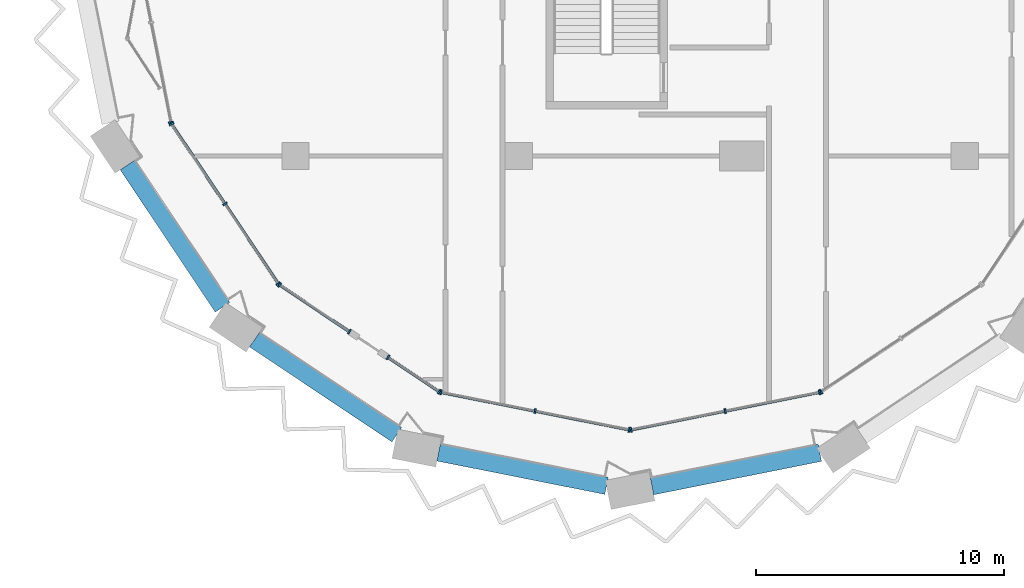
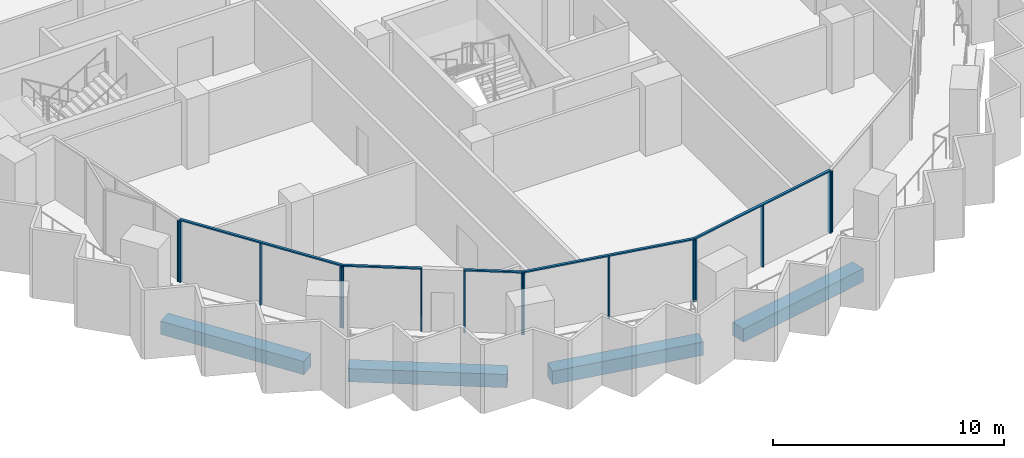
# One storey, part 2 of 19: 20 members, 4 beams, 7 elements without a shape of their own.
"""IFC4 building model written with IfcOpenShell, lengths in metres."""

from ifc_helpers import new_model, si_unit, direction, frame, origin, origin_2d, place, context, subcontext, project, spatial, rectangle, extrude, material, material_profile, profile_set, type_object, element, aggregate, save


model = new_model("IFC4")

# Units and contexts
model_context = context("Model", 3, precision=1e-05, world=origin(), true_north=direction((0.0, 1.0)))
body_context = subcontext(model_context, "Body", "Model", "MODEL_VIEW")
ifc_project = project(units=[si_unit("LENGTHUNIT", "METRE"), si_unit("AREAUNIT", "SQUARE_METRE"), si_unit("VOLUMEUNIT", "CUBIC_METRE"), si_unit("PLANEANGLEUNIT", "RADIAN"), si_unit("MASSUNIT", "GRAM", prefix="KILO")], contexts=[model_context])

# Site, building, storey
site_placement = place(None, origin())
site = spatial("IfcSite", under=ifc_project, at=site_placement, CompositionType="ELEMENT")
building_placement = place(site_placement, origin())
building = spatial("IfcBuilding", under=site, at=building_placement, Name="Hunhe Ridgeline Campus", CompositionType="ELEMENT")
storey_placement = place(building_placement, frame((0.0, 0.0, 216.10009765625)))
storey = spatial("IfcBuildingStorey", under=building, at=storey_placement, Name="L55", CompositionType="ELEMENT", Elevation=216.10009765625)

# Curtain wall, member
ifc_material_1 = material(Name="Aluminium 6063", Category="aluminium")
curtain_wall_type = type_object("IfcCurtainWallType", Name="Curtain wall CW-5", PredefinedType="NOTDEFINED", material=ifc_material_1)
curtain_wall_1_placement = place(storey_placement, origin())
curtain_wall_1 = element("IfcCurtainWall", 1, at=curtain_wall_1_placement, inside=storey, type_object=curtain_wall_type, Name="Curtain wall 01", PredefinedType="NOTDEFINED")
ifc_material_profile_1 = material_profile(ifc_material_1, rectangle(XDim=0.199951171875, YDim=0.070068359375, at=origin_2d()))
ifc_profile_set_1 = profile_set([ifc_material_profile_1], Name="Aluminium 6063")
member_type_1 = type_object("IfcMemberType", Name="CW-5 aluminium mullion", PredefinedType="MULLION", material=ifc_profile_set_1)
member_1_placement = place(storey_placement, frame((3.967529296875, 28.36083984375, 0.0), z_axis=(0.0, 0.0, 1.0), x_axis=(0.980784280831, 0.195095347137, 0.0)))
member_1 = element("IfcMember", 2, at=member_1_placement, type_object=member_type_1, Name="CW-5 mullion 3", PredefinedType="MULLION", context=body_context, shape_type="SweptSolid", body=[
    extrude(rectangle(XDim=0.199951171875, YDim=0.070068359375, at=origin_2d()), origin(), (0.0, 0.0, 1.0), 3.22998046875),
])
aggregate(curtain_wall_1, [member_1])

# Curtain wall, members
curtain_wall_2_placement = place(storey_placement, origin())
curtain_wall_2 = element("IfcCurtainWall", 3, at=curtain_wall_2_placement, inside=storey, type_object=curtain_wall_type, Name="Curtain wall 02", PredefinedType="NOTDEFINED")
member_2_placement = place(storey_placement, frame((3.993896484375, 28.29736328125, 0.0), z_axis=(0.0, 0.0, 1.0), x_axis=(0.831469584522, 0.555570274596, 0.0)))
member_2 = element("IfcMember", 4, at=member_2_placement, type_object=member_type_1, Name="CW-5 mullion 1", PredefinedType="MULLION", context=body_context, shape_type="SweptSolid", body=[
    extrude(rectangle(XDim=0.199951171875, YDim=0.070068359375, at=origin_2d()), origin(), (0.0, 0.0, 1.0), 3.22998046875),
])
member_3_placement = place(storey_placement, frame((6.147705078125, 25.07373046875, 0.0), z_axis=(0.0, 0.0, 1.0), x_axis=(0.831469584522, 0.555570274596, 0.0)))
member_3 = element("IfcMember", 5, at=member_3_placement, type_object=member_type_1, Name="CW-5 mullion 2", PredefinedType="MULLION", context=body_context, shape_type="SweptSolid", body=[
    extrude(rectangle(XDim=0.199951171875, YDim=0.070068359375, at=origin_2d()), origin(), (0.0, 0.0, 1.0), 3.22998046875),
])
member_4_placement = place(storey_placement, frame((8.3017578125, 21.850341796875, 0.0), z_axis=(0.0, 0.0, 1.0), x_axis=(0.831469584522, 0.555570274596, 0.0)))
member_4 = element("IfcMember", 6, at=member_4_placement, type_object=member_type_1, Name="CW-5 mullion 3", PredefinedType="MULLION", context=body_context, shape_type="SweptSolid", body=[
    extrude(rectangle(XDim=0.199951171875, YDim=0.070068359375, at=origin_2d()), origin(), (0.0, 0.0, 1.0), 3.22998046875),
])

curtain_wall_3_placement = place(storey_placement, origin())
curtain_wall_3 = element("IfcCurtainWall", 7, at=curtain_wall_3_placement, inside=storey, type_object=curtain_wall_type, Name="Curtain wall 03", PredefinedType="NOTDEFINED")
member_5_placement = place(storey_placement, frame((8.350341796875, 21.8017578125, 0.0), z_axis=(0.0, 0.0, 1.0), x_axis=(0.555570257501, 0.831469595944, 0.0)))
member_5 = element("IfcMember", 8, at=member_5_placement, type_object=member_type_1, Name="CW-5 mullion 1", PredefinedType="MULLION", context=body_context, shape_type="SweptSolid", body=[
    extrude(rectangle(XDim=0.199951171875, YDim=0.070068359375, at=origin_2d()), origin(), (0.0, 0.0, 1.0), 3.22998046875),
])
member_6_placement = place(storey_placement, frame((11.17041015625, 19.917236328125, 0.0), z_axis=(0.0, 0.0, 1.0), x_axis=(0.555570257501, 0.831469595944, 0.0)))
member_6 = element("IfcMember", 9, at=member_6_placement, type_object=member_type_1, Name="CW-5 mullion 2", PredefinedType="MULLION", context=body_context, shape_type="SweptSolid", body=[
    extrude(rectangle(XDim=0.199951171875, YDim=0.070068359375, at=origin_2d()), origin(), (0.0, 0.0, 1.0), 3.22998046875),
])

curtain_wall_4_placement = place(storey_placement, origin())
curtain_wall_4 = element("IfcCurtainWall", 10, at=curtain_wall_4_placement, inside=storey, type_object=curtain_wall_type, Name="Curtain wall 04", PredefinedType="NOTDEFINED")
member_7_placement = place(storey_placement, frame((12.725341796875, 18.87841796875, 0.0), z_axis=(0.0, 0.0, 1.0), x_axis=(0.555570385598, 0.831469510353, 0.0)))
member_7 = element("IfcMember", 11, at=member_7_placement, type_object=member_type_1, Name="CW-5 mullion 1", PredefinedType="MULLION", context=body_context, shape_type="SweptSolid", body=[
    extrude(rectangle(XDim=0.199951171875, YDim=0.070068359375, at=origin_2d()), origin(), (0.0, 0.0, 1.0), 3.22998046875),
])
member_8_placement = place(storey_placement, frame((14.79736328125, 17.493896484375, 0.0), z_axis=(0.0, 0.0, 1.0), x_axis=(0.555570385598, 0.831469510353, 0.0)))
member_8 = element("IfcMember", 12, at=member_8_placement, type_object=member_type_1, Name="CW-5 mullion 2", PredefinedType="MULLION", context=body_context, shape_type="SweptSolid", body=[
    extrude(rectangle(XDim=0.199951171875, YDim=0.070068359375, at=origin_2d()), origin(), (0.0, 0.0, 1.0), 3.22998046875),
])

curtain_wall_5_placement = place(storey_placement, origin())
curtain_wall_5 = element("IfcCurtainWall", 13, at=curtain_wall_5_placement, inside=storey, type_object=curtain_wall_type, Name="Curtain wall 05", PredefinedType="NOTDEFINED")
member_9_placement = place(storey_placement, frame((14.86083984375, 17.467529296875, 0.0), z_axis=(0.0, 0.0, 1.0), x_axis=(0.195090347539, 0.980785275326, 0.0)))
member_9 = element("IfcMember", 14, at=member_9_placement, type_object=member_type_1, Name="CW-5 mullion 1", PredefinedType="MULLION", context=body_context, shape_type="SweptSolid", body=[
    extrude(rectangle(XDim=0.199951171875, YDim=0.070068359375, at=origin_2d()), origin(), (0.0, 0.0, 1.0), 3.22998046875),
])
member_10_placement = place(storey_placement, frame((18.663330078125, 16.711181640625, 0.0), z_axis=(0.0, 0.0, 1.0), x_axis=(0.195090347539, 0.980785275326, 0.0)))
member_10 = element("IfcMember", 15, at=member_10_placement, type_object=member_type_1, Name="CW-5 mullion 2", PredefinedType="MULLION", context=body_context, shape_type="SweptSolid", body=[
    extrude(rectangle(XDim=0.199951171875, YDim=0.070068359375, at=origin_2d()), origin(), (0.0, 0.0, 1.0), 3.22998046875),
])
member_11_placement = place(storey_placement, frame((22.465576171875, 15.954833984375, 0.0), z_axis=(0.0, 0.0, 1.0), x_axis=(0.195090347539, 0.980785275326, 0.0)))
member_11 = element("IfcMember", 16, at=member_11_placement, type_object=member_type_1, Name="CW-5 mullion 3", PredefinedType="MULLION", context=body_context, shape_type="SweptSolid", body=[
    extrude(rectangle(XDim=0.199951171875, YDim=0.070068359375, at=origin_2d()), origin(), (0.0, 0.0, 1.0), 3.22998046875),
])

curtain_wall_6_placement = place(storey_placement, origin())
curtain_wall_6 = element("IfcCurtainWall", 17, at=curtain_wall_6_placement, inside=storey, type_object=curtain_wall_type, Name="Curtain wall 06", PredefinedType="NOTDEFINED")
member_12_placement = place(storey_placement, frame((22.534423828125, 15.954833984375, 0.0), z_axis=(0.0, 0.0, 1.0), x_axis=(-0.195090347539, 0.980785275326, 0.0)))
member_12 = element("IfcMember", 18, at=member_12_placement, type_object=member_type_1, Name="CW-5 mullion 1", PredefinedType="MULLION", context=body_context, shape_type="SweptSolid", body=[
    extrude(rectangle(XDim=0.199951171875, YDim=0.070068359375, at=origin_2d()), origin(), (0.0, 0.0, 1.0), 3.22998046875),
])
member_13_placement = place(storey_placement, frame((26.336669921875, 16.711181640625, 0.0), z_axis=(0.0, 0.0, 1.0), x_axis=(-0.195090347539, 0.980785275326, 0.0)))
member_13 = element("IfcMember", 19, at=member_13_placement, type_object=member_type_1, Name="CW-5 mullion 2", PredefinedType="MULLION", context=body_context, shape_type="SweptSolid", body=[
    extrude(rectangle(XDim=0.199951171875, YDim=0.070068359375, at=origin_2d()), origin(), (0.0, 0.0, 1.0), 3.22998046875),
])
member_14_placement = place(storey_placement, frame((30.13916015625, 17.467529296875, 0.0), z_axis=(0.0, 0.0, 1.0), x_axis=(-0.195090347539, 0.980785275326, 0.0)))
member_14 = element("IfcMember", 20, at=member_14_placement, type_object=member_type_1, Name="CW-5 mullion 3", PredefinedType="MULLION", context=body_context, shape_type="SweptSolid", body=[
    extrude(rectangle(XDim=0.199951171875, YDim=0.070068359375, at=origin_2d()), origin(), (0.0, 0.0, 1.0), 3.22998046875),
])

# Curtain wall, member
curtain_wall_7_placement = place(storey_placement, origin())
curtain_wall_7 = element("IfcCurtainWall", 21, at=curtain_wall_7_placement, inside=storey, type_object=curtain_wall_type, Name="Curtain wall 07", PredefinedType="NOTDEFINED")
member_15_placement = place(storey_placement, frame((30.20263671875, 17.493896484375, 0.0), z_axis=(0.0, 0.0, 1.0), x_axis=(-0.555570274596, 0.831469584522, 0.0)))
member_15 = element("IfcMember", 22, at=member_15_placement, type_object=member_type_1, Name="CW-5 mullion 1", PredefinedType="MULLION", context=body_context, shape_type="SweptSolid", body=[
    extrude(rectangle(XDim=0.199951171875, YDim=0.070068359375, at=origin_2d()), origin(), (0.0, 0.0, 1.0), 3.22998046875),
])
aggregate(curtain_wall_7, [member_15])

# Member
ifc_material_profile_2 = material_profile(ifc_material_1, rectangle(XDim=0.1201171875, YDim=0.070068359375, at=origin_2d()))
ifc_profile_set_2 = profile_set([ifc_material_profile_2], Name="Aluminium 6063")
member_type_2 = type_object("IfcMemberType", Name="CW-5 aluminium transom", PredefinedType="USERDEFINED", material=ifc_profile_set_2)
member_16_placement = place(storey_placement, frame((3.974365234375, 28.326416015625, 3.264892578125), z_axis=(0.5555640203, -0.831473763475, 0.0), x_axis=(0.831473763475, 0.5555640203, 0.0)))
member_16 = element("IfcMember", 23, at=member_16_placement, type_object=member_type_2, Name="CW-5 transom 1", ObjectType="TRANSOM", PredefinedType="USERDEFINED", context=body_context, shape_type="SweptSolid", body=[
    extrude(rectangle(XDim=0.1201171875, YDim=0.070068359375, at=origin_2d()), origin(), (0.0, 0.0, 1.0), 7.823974609375),
])

aggregate(curtain_wall_2, [member_16, member_2, member_3, member_4])

member_17_placement = place(storey_placement, frame((8.321044921875, 21.821044921875, 3.264892578125), z_axis=(0.831485714606, -0.555546133463, 0.0), x_axis=(0.555546133463, 0.831485714606, 0.0)))
member_17 = element("IfcMember", 24, at=member_17_placement, type_object=member_type_2, Name="CW-5 transom 1", ObjectType="TRANSOM", PredefinedType="USERDEFINED", context=body_context, shape_type="SweptSolid", body=[
    extrude(rectangle(XDim=0.1201171875, YDim=0.070068359375, at=origin_2d()), origin(), (0.0, 0.0, 1.0), 3.462158203125),
])

aggregate(curtain_wall_3, [member_17, member_5, member_6])

member_18_placement = place(storey_placement, frame((12.6962890625, 18.897705078125, 3.264892578125), z_axis=(0.831463388334, -0.555579547735, 0.0), x_axis=(0.555579547735, 0.831463388334, 0.0)))
member_18 = element("IfcMember", 25, at=member_18_placement, type_object=member_type_2, Name="CW-5 transom 1", ObjectType="TRANSOM", PredefinedType="USERDEFINED", context=body_context, shape_type="SweptSolid", body=[
    extrude(rectangle(XDim=0.1201171875, YDim=0.070068359375, at=origin_2d()), origin(), (0.0, 0.0, 1.0), 2.56201171875),
])

aggregate(curtain_wall_4, [member_18, member_7, member_8])

member_19_placement = place(storey_placement, frame((14.826416015625, 17.474365234375, 3.264892578125), z_axis=(0.980785367689, -0.195089883198, 0.0), x_axis=(0.195089883198, 0.980785367689, 0.0)))
member_19 = element("IfcMember", 26, at=member_19_placement, type_object=member_type_2, Name="CW-5 transom 1", ObjectType="TRANSOM", PredefinedType="USERDEFINED", context=body_context, shape_type="SweptSolid", body=[
    extrude(rectangle(XDim=0.1201171875, YDim=0.070068359375, at=origin_2d()), origin(), (0.0, 0.0, 1.0), 7.823974609375),
])

aggregate(curtain_wall_5, [member_19, member_9, member_10, member_11])

member_20_placement = place(storey_placement, frame((22.5, 15.947998046875, 3.264892578125), z_axis=(0.980785367689, 0.195089883198, 0.0), x_axis=(-0.195089883198, 0.980785367689, 0.0)))
member_20 = element("IfcMember", 27, at=member_20_placement, type_object=member_type_2, Name="CW-5 transom 1", ObjectType="TRANSOM", PredefinedType="USERDEFINED", context=body_context, shape_type="SweptSolid", body=[
    extrude(rectangle(XDim=0.1201171875, YDim=0.070068359375, at=origin_2d()), origin(), (0.0, 0.0, 1.0), 7.823974609375),
])

aggregate(curtain_wall_6, [member_20, member_12, member_13, member_14])

# Beams
ifc_material_2 = material(Name="Concrete C50", Category="concrete")
ifc_material_profile_3 = material_profile(ifc_material_2, rectangle(XDim=0.699951171875, YDim=0.699951171875, at=origin_2d()))
ifc_profile_set_3 = profile_set([ifc_material_profile_3], Name="Concrete C50")
beam_type = type_object("IfcBeamType", Name="RC spandrel beam 700x700 Concrete C50", PredefinedType="SPANDREL", material=ifc_profile_set_3)
for number, where, z_axis, x_axis, name in (
    (28, (2.212646484375, 26.641357421875, -0.60009765625), (0.55557295, -0.831467796868, 0.0), (0.831467796868, 0.55557295, 0.0), "Spandrel beam B3-2 L55"),
    (29, (7.33837890625, 19.590087890625, -0.60009765625), (0.831467796868, -0.55557295, 0.0), (0.55557295, 0.831467796868, 0.0), "Spandrel beam B3-3 L55"),
    (30, (14.772216796875, 15.037109375, -0.60009765625), (0.980784124029, -0.195096135414, 0.0), (0.195096135414, 0.980784124029, 0.0), "Spandrel beam B3-4 L55"),
    (31, (23.3828125, 13.675537109375, -0.60009765625), (0.980782778209, 0.195102900975, 0.0), (-0.195102900975, 0.980782778209, 0.0), "Spandrel beam B3-5 L55"),
):
    element("IfcBeam", number, at=place(storey_placement, frame(where, z_axis=z_axis, x_axis=x_axis)), inside=storey, type_object=beam_type, Name=name, PredefinedType="SPANDREL", context=body_context, shape_type="SweptSolid", body=[
        extrude(rectangle(XDim=0.699951171875, YDim=0.699951171875, at=origin_2d()), origin(), (0.0, 0.0, 1.0), 6.905029296875),
    ])

save(model, "model.ifc")
